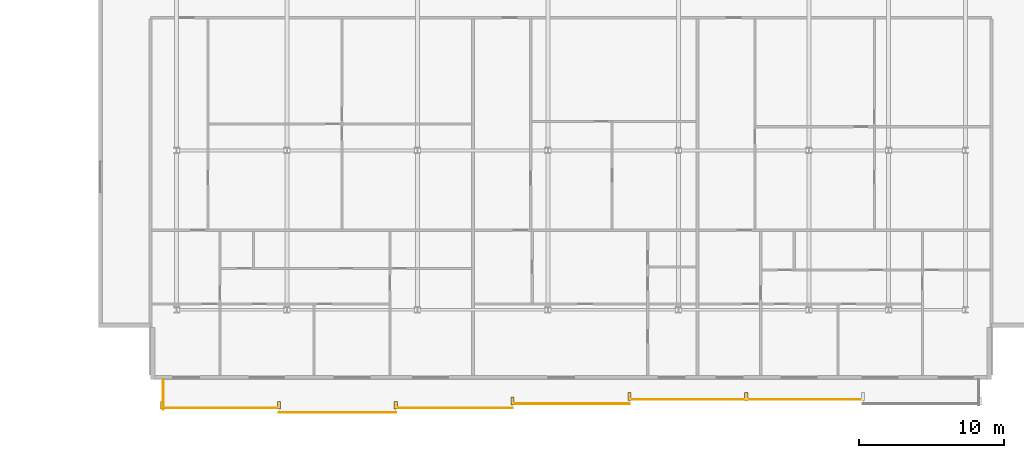
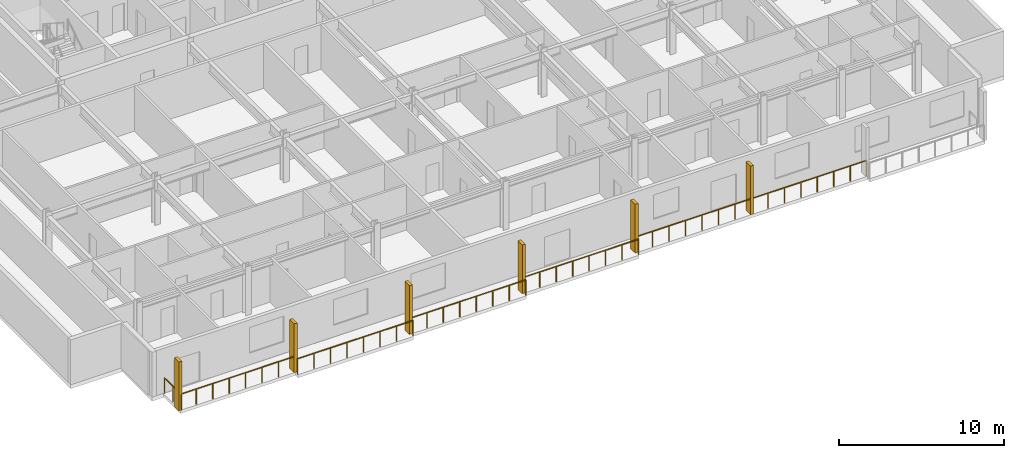
# One storey, part 31 of 36: 6 railings, 6 shading devices.
"""IFC4 building model written with IfcOpenShell, lengths in metres."""

from ifc_helpers import new_model, si_unit, direction, frame, origin, origin_2d, place, context, subcontext, project, spatial, rectangle, circle, extrude, material, type_object, element, save


model = new_model("IFC4")

# Units and contexts
model_context = context("Model", 3, precision=1e-05, world=origin(), true_north=direction((0.0, 1.0)))
body_context = subcontext(model_context, "Body", "Model", "MODEL_VIEW")
ifc_project = project(units=[si_unit("LENGTHUNIT", "METRE"), si_unit("AREAUNIT", "SQUARE_METRE"), si_unit("VOLUMEUNIT", "CUBIC_METRE"), si_unit("PLANEANGLEUNIT", "RADIAN"), si_unit("MASSUNIT", "GRAM", prefix="KILO")], contexts=[model_context])

# Site, building, storey
site_placement = place(None, origin())
site = spatial("IfcSite", under=ifc_project, at=site_placement, CompositionType="ELEMENT")
building_placement = place(site_placement, origin())
building = spatial("IfcBuilding", under=site, at=building_placement, Name="Korimba Cascade Residences", CompositionType="ELEMENT")
storey_placement = place(building_placement, frame((0.0, 0.0, 146.5)))
storey = spatial("IfcBuildingStorey", under=building, at=storey_placement, Name="L42", CompositionType="ELEMENT", Elevation=146.5)

# Railings
ifc_material_1 = material(Name="Laminated Glass and Bronze Balustrade", Category="glass")
railing_type = type_object("IfcRailingType", Name="RLG-LOG-1150", PredefinedType="BALUSTRADE", material=ifc_material_1)
for number, where, name in (
    (1, (73.5, -10.969970703125, 0.0), "L42 Perimeter Guardrail RLG-L42-T2-LOG-01"),
    (2, (81.55712890625, -11.27001953125, 0.0), "L42 Perimeter Guardrail RLG-L42-T2-LOG-02"),
    (3, (89.6142578125, -10.969970703125, 0.0), "L42 Perimeter Guardrail RLG-L42-T2-LOG-03"),
    (4, (97.67138671875, -10.669921875, 0.0), "L42 Perimeter Guardrail RLG-L42-T2-LOG-04"),
):
    element("IfcRailing", number, at=place(storey_placement, frame(where)), inside=storey, type_object=railing_type, Name=name, PredefinedType="BALUSTRADE", context=body_context, shape_type="SweptSolid", body=[
        extrude(circle(Radius=0.02392578125, at=origin_2d()), frame((0.0, 0.0, 1.1259765625), z_axis=(1.0, 0.0, 0.0), x_axis=(0.0, 1.0, 0.0)), (0.0, 0.0, 1.0), 8.05712890625),
        extrude(circle(Radius=0.02099609375, at=origin_2d()), origin(), (0.0, 0.0, 1.0), 1.101806640625),
        extrude(circle(Radius=0.02099609375, at=origin_2d()), frame((1.151123046875, 0.0, 0.0)), (0.0, 0.0, 1.0), 1.101806640625),
        extrude(circle(Radius=0.02099609375, at=origin_2d()), frame((2.302001953125, 0.0, 0.0)), (0.0, 0.0, 1.0), 1.101806640625),
        extrude(circle(Radius=0.02099609375, at=origin_2d()), frame((3.453125, 0.0, 0.0)), (0.0, 0.0, 1.0), 1.101806640625),
        extrude(circle(Radius=0.02099609375, at=origin_2d()), frame((4.60400390625, 0.0, 0.0)), (0.0, 0.0, 1.0), 1.101806640625),
        extrude(circle(Radius=0.02099609375, at=origin_2d()), frame((5.755126953125, 0.0, 0.0)), (0.0, 0.0, 1.0), 1.101806640625),
        extrude(circle(Radius=0.02099609375, at=origin_2d()), frame((6.906005859375, 0.0, 0.0)), (0.0, 0.0, 1.0), 1.101806640625),
        extrude(circle(Radius=0.02099609375, at=origin_2d()), frame((8.05712890625, 0.0, 0.0)), (0.0, 0.0, 1.0), 1.101806640625),
    ])
railing_1_placement = place(storey_placement, frame((105.728515625, -10.3701171875, 0.0)))
element("IfcRailing", 5, at=railing_1_placement, inside=storey, type_object=railing_type, Name="L42 Perimeter Guardrail RLG-L42-T2-LOG-05", PredefinedType="BALUSTRADE", context=body_context, shape_type="SweptSolid", body=[
    extrude(circle(Radius=0.02392578125, at=origin_2d()), frame((0.0, 0.0, 1.1259765625), z_axis=(1.0, 0.0, 0.0), x_axis=(0.0, 1.0, 0.0)), (0.0, 0.0, 1.0), 16.114501953125),
    extrude(circle(Radius=0.02099609375, at=origin_2d()), origin(), (0.0, 0.0, 1.0), 1.101806640625),
    extrude(circle(Radius=0.02099609375, at=origin_2d()), frame((1.151123046875, 0.0, 0.0)), (0.0, 0.0, 1.0), 1.101806640625),
    extrude(circle(Radius=0.02099609375, at=origin_2d()), frame((2.302001953125, 0.0, 0.0)), (0.0, 0.0, 1.0), 1.101806640625),
    extrude(circle(Radius=0.02099609375, at=origin_2d()), frame((3.453125, 0.0, 0.0)), (0.0, 0.0, 1.0), 1.101806640625),
    extrude(circle(Radius=0.02099609375, at=origin_2d()), frame((4.604248046875, 0.0, 0.0)), (0.0, 0.0, 1.0), 1.101806640625),
    extrude(circle(Radius=0.02099609375, at=origin_2d()), frame((5.755126953125, 0.0, 0.0)), (0.0, 0.0, 1.0), 1.101806640625),
    extrude(circle(Radius=0.02099609375, at=origin_2d()), frame((6.90625, 0.0, 0.0)), (0.0, 0.0, 1.0), 1.101806640625),
    extrude(circle(Radius=0.02099609375, at=origin_2d()), frame((8.05712890625, 0.0, 0.0)), (0.0, 0.0, 1.0), 1.101806640625),
    extrude(circle(Radius=0.02099609375, at=origin_2d()), frame((9.208251953125, 0.0, 0.0)), (0.0, 0.0, 1.0), 1.101806640625),
    extrude(circle(Radius=0.02099609375, at=origin_2d()), frame((10.359375, 0.0, 0.0)), (0.0, 0.0, 1.0), 1.101806640625),
    extrude(circle(Radius=0.02099609375, at=origin_2d()), frame((11.51025390625, 0.0, 0.0)), (0.0, 0.0, 1.0), 1.101806640625),
    extrude(circle(Radius=0.02099609375, at=origin_2d()), frame((12.661376953125, 0.0, 0.0)), (0.0, 0.0, 1.0), 1.101806640625),
    extrude(circle(Radius=0.02099609375, at=origin_2d()), frame((13.8125, 0.0, 0.0)), (0.0, 0.0, 1.0), 1.101806640625),
    extrude(circle(Radius=0.02099609375, at=origin_2d()), frame((14.96337890625, 0.0, 0.0)), (0.0, 0.0, 1.0), 1.101806640625),
    extrude(circle(Radius=0.02099609375, at=origin_2d()), frame((16.114501953125, 0.0, 0.0)), (0.0, 0.0, 1.0), 1.101806640625),
])
railing_2_placement = place(storey_placement, frame((73.580078125, -9.0, 0.0)))
element("IfcRailing", 6, at=railing_2_placement, inside=storey, type_object=railing_type, Name="L42 Perimeter Guardrail RLG-L42-T2-LOG-08", PredefinedType="BALUSTRADE", context=body_context, shape_type="SweptSolid", body=[
    extrude(circle(Radius=0.02392578125, at=origin_2d()), frame((0.0, 0.0, 1.1259765625), z_axis=(0.0, -1.0, 0.0), x_axis=(1.0, 0.0, 0.0)), (0.0, 0.0, 1.0), 2.050048828125),
    extrude(circle(Radius=0.02099609375, at=origin_2d()), origin(), (0.0, 0.0, 1.0), 1.101806640625),
    extrude(circle(Radius=0.02099609375, at=origin_2d()), frame((0.0, -1.02490234375, 0.0)), (0.0, 0.0, 1.0), 1.101806640625),
    extrude(circle(Radius=0.02099609375, at=origin_2d()), frame((0.0, -2.050048828125, 0.0)), (0.0, 0.0, 1.0), 1.101806640625),
])

# Shading devices
ifc_material_2 = material(Name="Honed Sandstone Precast Fin", Category="masonry")
shading_device_type = type_object("IfcShadingDeviceType", Name="SHD-FIN-550", PredefinedType="USERDEFINED", material=ifc_material_2)
for number, where, z_axis, x_axis, name in (
    (7, (73.5, -10.77490234375, 0.0), (0.0, 0.0, 1.0), (1.0, 0.0, 0.0), "L42 T2 Warm-Stone Loggia Fin 1"),
    (8, (81.55712890625, -10.77490234375, 0.0), (0.0, 0.0, 1.0), (1.0, 0.0, 0.0), "L42 T2 Warm-Stone Loggia Fin 2"),
    (9, (89.6142578125, -10.77490234375, 0.0), (0.0, 0.0, 1.0), (1.0, 0.0, 0.0), "L42 T2 Warm-Stone Loggia Fin 3"),
    (10, (97.67138671875, -10.47509765625, 0.0), (0.0, 0.0, 1.0), (1.0, 0.0, 0.0), "L42 T2 Warm-Stone Loggia Fin 4"),
    (11, (105.728515625, -10.175048828125, 0.0), (0.0, 0.0, 1.0), (1.0, 0.0, 0.0), "L42 T2 Warm-Stone Loggia Fin 5"),
    (12, (113.78564453125, -10.175048828125, 0.0), (0.0, 0.0, 1.0), (1.0, 0.0, 0.0), "L42 T2 Warm-Stone Loggia Fin 6"),
):
    element("IfcShadingDevice", number, at=place(storey_placement, frame(where, z_axis=z_axis, x_axis=x_axis)), inside=storey, type_object=shading_device_type, Name=name, ObjectType="FIN", PredefinedType="USERDEFINED", context=body_context, shape_type="SweptSolid", body=[
        extrude(rectangle(XDim=0.219970703125, YDim=0.550048828125, at=origin_2d()), origin(), (0.0, 0.0, 1.0), 3.60009765625),
    ])

save(model, "model.ifc")
